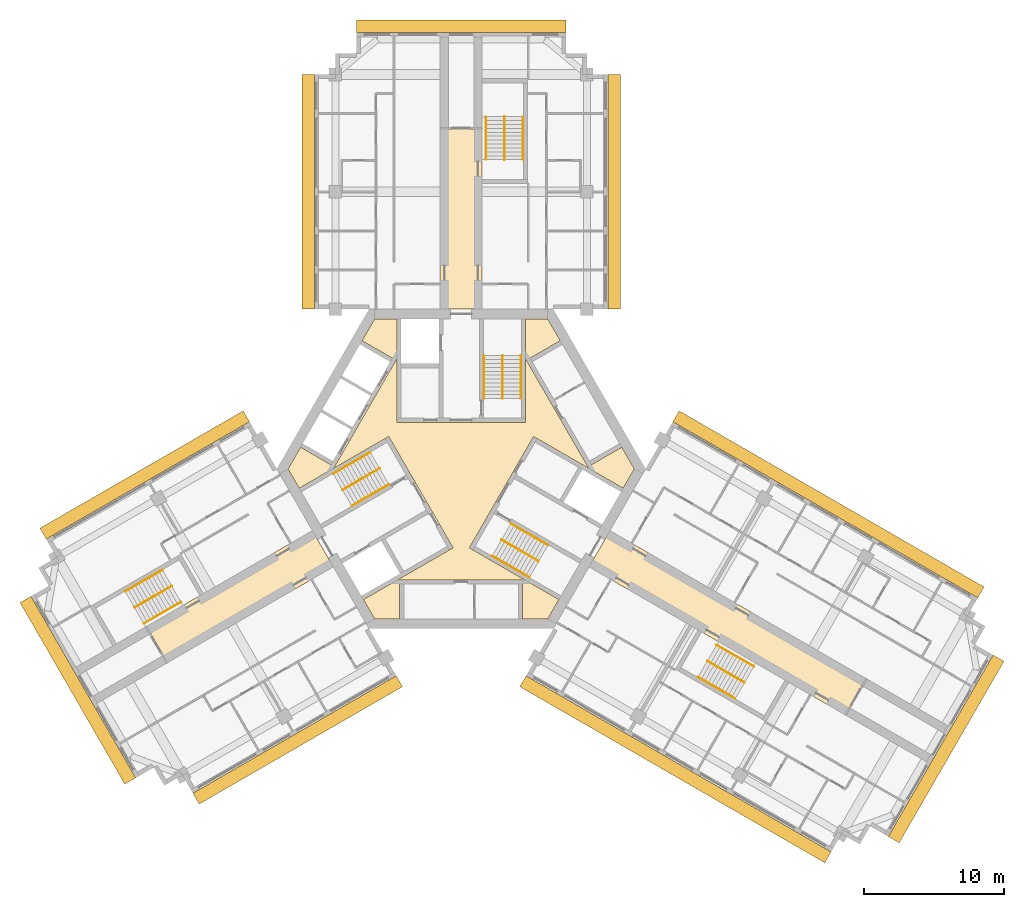
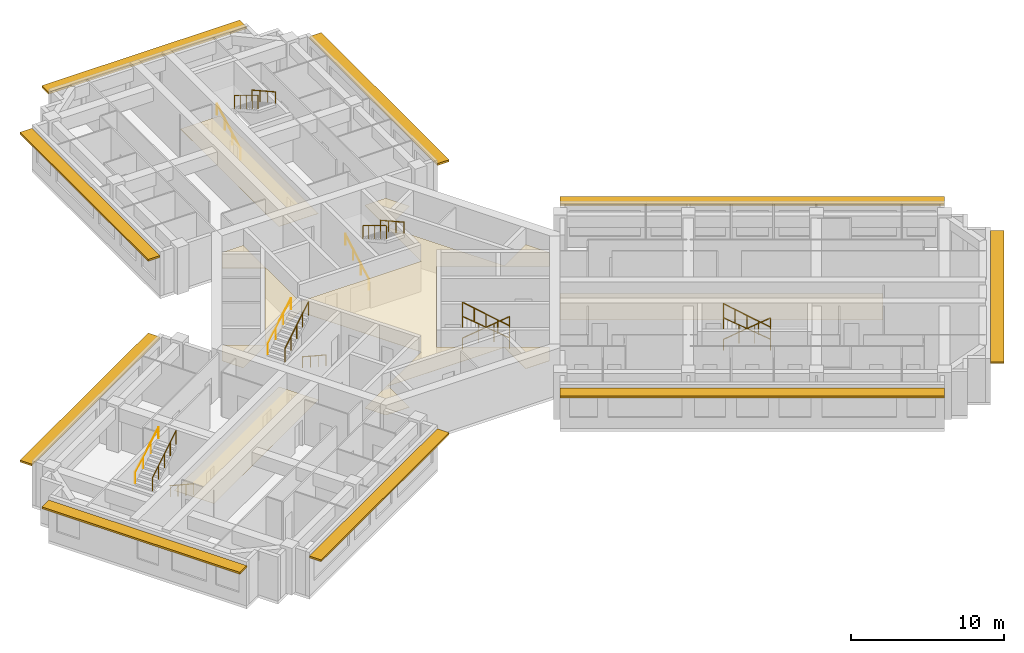
# One storey, part 10 of 10: 18 railings, 4 coverings, 3 shading devices.
"""IFC4 building model written with IfcOpenShell, lengths in metres."""

from ifc_helpers import new_model, si_unit, direction, frame, origin, origin_2d, place, context, subcontext, project, spatial, polyline, rectangle, circle, outline, extrude, material, layer, layer_set, type_object, element, save


model = new_model("IFC4")

# Units and contexts
model_context = context("Model", 3, precision=1e-05, world=origin(), true_north=direction((0.0, 1.0)))
body_context = subcontext(model_context, "Body", "Model", "MODEL_VIEW")
ifc_project = project(units=[si_unit("LENGTHUNIT", "METRE"), si_unit("AREAUNIT", "SQUARE_METRE"), si_unit("VOLUMEUNIT", "CUBIC_METRE"), si_unit("PLANEANGLEUNIT", "RADIAN"), si_unit("MASSUNIT", "GRAM", prefix="KILO")], contexts=[model_context])

# Site, building, storey
site_placement = place(None, origin())
site = spatial("IfcSite", under=ifc_project, at=site_placement, CompositionType="ELEMENT")
building_placement = place(site_placement, origin())
building = spatial("IfcBuilding", under=site, at=building_placement, Name="Impinga Residences", CompositionType="ELEMENT")
storey_placement = place(building_placement, frame((0.0, 0.0, 241.0)))
storey = spatial("IfcBuildingStorey", under=building, at=storey_placement, Name="L60", CompositionType="ELEMENT", Elevation=241.0)

# Coverings
ifc_material_1 = material(Name="Plasterboard 15 mm on steel hangers", Category="steel")
ifc_layer_1 = layer(ifc_material_1, 0.014892578125)
ifc_layer_set_1 = layer_set([ifc_layer_1], Name="Plasterboard 15 mm on steel hangers")
covering_type_1 = type_object("IfcCoveringType", Name="CL1 corridor ceiling, 15 mm plasterboard on hangers", PredefinedType="CEILING", material=ifc_layer_set_1)
covering_1_placement = place(storey_placement, frame((0.0, 0.0, 2.39990234375)))
element("IfcCovering", 1, at=covering_1_placement, inside=storey, type_object=covering_type_1, Name="Corridor ceiling CL1 L60-N00", PredefinedType="CEILING", context=body_context, shape_type="SweptSolid", body=[
    extrude(outline(polyline([(-1.5, 11.431640625), (1.5, 11.431640625), (1.5, 24.33154296875), (-1.5, 24.33154296875), (-1.5, 11.431640625)])), origin(), (0.0, 0.0, 1.0), 0.01513671875),
])
covering_2_placement = place(storey_placement, frame((0.0, 0.0, 2.39990234375)))
element("IfcCovering", 2, at=covering_2_placement, inside=storey, type_object=covering_type_1, Name="Corridor ceiling CL1 L60-W00", PredefinedType="CEILING", context=body_context, shape_type="SweptSolid", body=[
    extrude(outline(polyline([(-9.14990234375, -7.014892578125), (-10.64990234375, -4.416748046875), (-22.5146484375, -11.266845703125), (-21.0146484375, -13.86474609375), (-9.14990234375, -7.014892578125)])), origin(), (0.0, 0.0, 1.0), 0.01513671875),
])
covering_3_placement = place(storey_placement, frame((0.0, 0.0, 2.39990234375)))
element("IfcCovering", 3, at=covering_3_placement, inside=storey, type_object=covering_type_1, Name="Corridor ceiling CL1 L60-E00", PredefinedType="CEILING", context=body_context, shape_type="SweptSolid", body=[
    extrude(outline(polyline([(10.64990234375, -4.416748046875), (9.14990234375, -7.014892578125), (27.466552734375, -17.58984375), (28.966552734375, -14.99169921875), (10.64990234375, -4.416748046875)])), origin(), (0.0, 0.0, 1.0), 0.01513671875),
])
ifc_material_2 = material(Name="Mineral fibre tiles 20 mm on exposed grid", Category="mineral fibre")
ifc_layer_2 = layer(ifc_material_2, 0.02001953125)
ifc_layer_set_2 = layer_set([ifc_layer_2], Name="CL2 lift lobby ceiling, 20 mm mineral fibre tiles")
covering_type_2 = type_object("IfcCoveringType", Name="CL2 lift lobby ceiling, 20 mm mineral fibre tiles", PredefinedType="CEILING", material=ifc_layer_set_2)
covering_4_placement = place(storey_placement, frame((0.0, 0.0, 2.39990234375)))
element("IfcCovering", 4, at=covering_4_placement, inside=storey, type_object=covering_type_2, Name="Lift lobby ceiling CL2 L60-C01", PredefinedType="CEILING", context=body_context, shape_type="SweptSolid", body=[
    extrude(outline(polyline([(12.3916015625, 0.0), (11.59375, -1.382080078125), (5.183837890625, 2.318603515625), (0.583984375, -5.648681640625), (6.993896484375, -9.349365234375), (6.19580078125, -10.7314453125), (4.39990234375, -10.7314453125), (4.39990234375, -7.931640625), (-4.39990234375, -7.931640625), (-4.39990234375, -10.7314453125), (-6.19580078125, -10.7314453125), (-6.993896484375, -9.349365234375), (-0.583984375, -5.648681640625), (-5.183837890625, 2.318603515625), (-11.59375, -1.382080078125), (-12.3916015625, 0.0), (-11.493896484375, 1.55517578125), (-9.06884765625, 0.1552734375), (-4.6689453125, 7.7763671875), (-7.09375, 9.17626953125), (-6.19580078125, 10.7314453125), (-4.60009765625, 10.7314453125), (-4.60009765625, 3.330078125), (4.60009765625, 3.330078125), (4.60009765625, 10.7314453125), (6.19580078125, 10.7314453125), (7.09375, 9.17626953125), (4.6689453125, 7.7763671875), (9.06884765625, 0.1552734375), (11.493896484375, 1.55517578125), (12.3916015625, 0.0)])), origin(), (0.0, 0.0, 1.0), 0.02001953125),
])

# Railings
ifc_material_3 = material(Name="Steel guard, powder coated", Category="steel")
railing_type_1 = type_object("IfcRailingType", Name="GR1 stair guard 1100", PredefinedType="GUARDRAIL", material=ifc_material_3)
railing_1_placement = place(storey_placement, frame((2.949951171875, 8.110107421875, 1.875)))
element("IfcRailing", 5, at=railing_1_placement, inside=storey, type_object=railing_type_1, Name="Stair guard GR1 ST1 L60", PredefinedType="GUARDRAIL", context=body_context, shape_type="SweptSolid", body=[
    extrude(circle(Radius=0.02392578125, at=origin_2d()), frame((0.0, 0.0, 1.076171875), z_axis=(0.0, -0.854177636135, 0.519981313056), x_axis=(1.0, 0.0, 0.0)), (0.0, 0.0, 1.0), 3.60595703125),
    extrude(circle(Radius=0.02099609375, at=origin_2d()), origin(), (0.0, 0.0, 1.0), 1.052001953125),
    extrude(circle(Radius=0.02099609375, at=origin_2d()), frame((0.0, -0.77001953125, 0.46875)), (0.0, 0.0, 1.0), 1.052001953125),
    extrude(circle(Radius=0.02099609375, at=origin_2d()), frame((0.0, -1.5400390625, 0.9375)), (0.0, 0.0, 1.0), 1.052001953125),
    extrude(circle(Radius=0.02099609375, at=origin_2d()), frame((0.0, -2.31005859375, 1.40625)), (0.0, 0.0, 1.0), 1.052001953125),
    extrude(circle(Radius=0.02099609375, at=origin_2d()), frame((0.0, -3.080078125, 1.875)), (0.0, 0.0, 1.0), 1.052001953125),
])
railing_2_placement = place(storey_placement, frame((-8.49853515625, -1.500244140625, 1.875)))
element("IfcRailing", 6, at=railing_2_placement, inside=storey, type_object=railing_type_1, Name="Stair guard GR1 ST2 L60", PredefinedType="GUARDRAIL", context=body_context, shape_type="SweptSolid", body=[
    extrude(circle(Radius=0.02392578125, at=origin_2d()), frame((0.0, 0.0, 1.076171875), z_axis=(0.739746383972, 0.427084037168, 0.519975492303), x_axis=(-0.499992328818, 0.866029832698, 0.0)), (0.0, 0.0, 1.0), 3.60595703125),
    extrude(circle(Radius=0.02099609375, at=origin_2d()), origin(), (0.0, 0.0, 1.0), 1.052001953125),
    extrude(circle(Radius=0.02099609375, at=origin_2d()), frame((0.6669921875, 0.385009765625, 0.46875)), (0.0, 0.0, 1.0), 1.052001953125),
    extrude(circle(Radius=0.02099609375, at=origin_2d()), frame((1.333740234375, 0.77001953125, 0.9375)), (0.0, 0.0, 1.0), 1.052001953125),
    extrude(circle(Radius=0.02099609375, at=origin_2d()), frame((2.00048828125, 1.155029296875, 1.40625)), (0.0, 0.0, 1.0), 1.052001953125),
    extrude(circle(Radius=0.02099609375, at=origin_2d()), frame((2.66748046875, 1.5400390625, 1.875)), (0.0, 0.0, 1.0), 1.052001953125),
])
railing_3_placement = place(storey_placement, frame((5.548583984375, -6.60986328125, 1.875)))
element("IfcRailing", 7, at=railing_3_placement, inside=storey, type_object=railing_type_1, Name="Stair guard GR1 ST3 L60", PredefinedType="GUARDRAIL", context=body_context, shape_type="SweptSolid", body=[
    extrude(circle(Radius=0.02392578125, at=origin_2d()), frame((0.0, 0.0, 1.076171875), z_axis=(-0.739746383972, 0.427084037168, 0.519975492303), x_axis=(-0.499992328818, -0.866029832698, 0.0)), (0.0, 0.0, 1.0), 3.60595703125),
    extrude(circle(Radius=0.02099609375, at=origin_2d()), origin(), (0.0, 0.0, 1.0), 1.052001953125),
    extrude(circle(Radius=0.02099609375, at=origin_2d()), frame((-0.6669921875, 0.385009765625, 0.46875)), (0.0, 0.0, 1.0), 1.052001953125),
    extrude(circle(Radius=0.02099609375, at=origin_2d()), frame((-1.333740234375, 0.77001953125, 0.9375)), (0.0, 0.0, 1.0), 1.052001953125),
    extrude(circle(Radius=0.02099609375, at=origin_2d()), frame((-2.00048828125, 1.155029296875, 1.40625)), (0.0, 0.0, 1.0), 1.052001953125),
    extrude(circle(Radius=0.02099609375, at=origin_2d()), frame((-2.66748046875, 1.5400390625, 1.875)), (0.0, 0.0, 1.0), 1.052001953125),
])
railing_4_placement = place(storey_placement, frame((3.10009765625, 25.21142578125, 1.875)))
element("IfcRailing", 8, at=railing_4_placement, inside=storey, type_object=railing_type_1, Name="Stair guard GR1 WS1 L60", PredefinedType="GUARDRAIL", context=body_context, shape_type="SweptSolid", body=[
    extrude(circle(Radius=0.02392578125, at=origin_2d()), frame((0.0, 0.0, 1.076171875), z_axis=(0.0, -0.854159328187, 0.520011386482), x_axis=(1.0, 0.0, 0.0)), (0.0, 0.0, 1.0), 3.605712890625),
    extrude(circle(Radius=0.02099609375, at=origin_2d()), origin(), (0.0, 0.0, 1.0), 1.052001953125),
    extrude(circle(Radius=0.02099609375, at=origin_2d()), frame((0.0, -0.77001953125, 0.46875)), (0.0, 0.0, 1.0), 1.052001953125),
    extrude(circle(Radius=0.02099609375, at=origin_2d()), frame((0.0, -1.5400390625, 0.9375)), (0.0, 0.0, 1.0), 1.052001953125),
    extrude(circle(Radius=0.02099609375, at=origin_2d()), frame((0.0, -2.309814453125, 1.40625)), (0.0, 0.0, 1.0), 1.052001953125),
    extrude(circle(Radius=0.02099609375, at=origin_2d()), frame((0.0, -3.079833984375, 1.875)), (0.0, 0.0, 1.0), 1.052001953125),
])
railing_5_placement = place(storey_placement, frame((-23.3837890625, -9.921142578125, 1.875)))
element("IfcRailing", 9, at=railing_5_placement, inside=storey, type_object=railing_type_1, Name="Stair guard GR1 WS2 L60", PredefinedType="GUARDRAIL", context=body_context, shape_type="SweptSolid", body=[
    extrude(circle(Radius=0.02392578125, at=origin_2d()), frame((0.0, 0.0, 1.076171875), z_axis=(0.739715726454, 0.427105428144, 0.52000153585), x_axis=(-0.500026652407, 0.866010015463, 0.0)), (0.0, 0.0, 1.0), 3.605712890625),
    extrude(circle(Radius=0.02099609375, at=origin_2d()), origin(), (0.0, 0.0, 1.0), 1.052001953125),
    extrude(circle(Radius=0.02099609375, at=origin_2d()), frame((0.666748046875, 0.385009765625, 0.46875)), (0.0, 0.0, 1.0), 1.052001953125),
    extrude(circle(Radius=0.02099609375, at=origin_2d()), frame((1.33349609375, 0.77001953125, 0.9375)), (0.0, 0.0, 1.0), 1.052001953125),
    extrude(circle(Radius=0.02099609375, at=origin_2d()), frame((2.00048828125, 1.155029296875, 1.40625)), (0.0, 0.0, 1.0), 1.052001953125),
    extrude(circle(Radius=0.02099609375, at=origin_2d()), frame((2.667236328125, 1.5400390625, 1.875)), (0.0, 0.0, 1.0), 1.052001953125),
])
railing_6_placement = place(storey_placement, frame((20.283935546875, -15.29052734375, 1.875)))
element("IfcRailing", 10, at=railing_6_placement, inside=storey, type_object=railing_type_1, Name="Stair guard GR1 WS3 L60", PredefinedType="GUARDRAIL", context=body_context, shape_type="SweptSolid", body=[
    extrude(circle(Radius=0.02392578125, at=origin_2d()), frame((0.0, 0.0, 1.076171875), z_axis=(-0.739746383972, 0.427084037168, 0.519975492303), x_axis=(-0.499992328818, -0.866029832698, 0.0)), (0.0, 0.0, 1.0), 3.60595703125),
    extrude(circle(Radius=0.02099609375, at=origin_2d()), origin(), (0.0, 0.0, 1.0), 1.052001953125),
    extrude(circle(Radius=0.02099609375, at=origin_2d()), frame((-0.6669921875, 0.385009765625, 0.46875)), (0.0, 0.0, 1.0), 1.052001953125),
    extrude(circle(Radius=0.02099609375, at=origin_2d()), frame((-1.333740234375, 0.77001953125, 0.9375)), (0.0, 0.0, 1.0), 1.052001953125),
    extrude(circle(Radius=0.02099609375, at=origin_2d()), frame((-2.00048828125, 1.155029296875, 1.40625)), (0.0, 0.0, 1.0), 1.052001953125),
    extrude(circle(Radius=0.02099609375, at=origin_2d()), frame((-2.66748046875, 1.5400390625, 1.875)), (0.0, 0.0, 1.0), 1.052001953125),
])
ifc_material_4 = material(Name="Steel handrail tube 42 mm, powder coated", Category="steel")
railing_type_2 = type_object("IfcRailingType", Name="HR1 stair handrail, 42 mm steel tube, 900 above the pitch line", PredefinedType="HANDRAIL", material=ifc_material_4)
railing_7_placement = place(storey_placement, frame((1.62109375, 5.030029296875, 0.15625)))
element("IfcRailing", 11, at=railing_7_placement, inside=storey, type_object=railing_type_2, Name="Stair handrail HR1 ST1 L60", PredefinedType="HANDRAIL", context=body_context, shape_type="SweptSolid", body=[
    extrude(circle(Radius=0.02099609375, at=origin_2d()), frame((0.0, 0.0, 0.87890625), z_axis=(0.0, 0.873241540666, 0.487287606713), x_axis=(-1.0, 0.0, 0.0)), (0.0, 0.0, 1.0), 3.527099609375),
    extrude(circle(Radius=0.012451171875, at=origin_2d()), origin(), (0.0, 0.0, 1.0), 0.85791015625),
    extrude(circle(Radius=0.012451171875, at=origin_2d()), frame((0.0, 1.026611328125, 0.572998046875)), (0.0, 0.0, 1.0), 0.85791015625),
    extrude(circle(Radius=0.012451171875, at=origin_2d()), frame((0.0, 2.053466796875, 1.145751953125)), (0.0, 0.0, 1.0), 0.85791015625),
    extrude(circle(Radius=0.012451171875, at=origin_2d()), frame((0.0, 3.080078125, 1.71875)), (0.0, 0.0, 1.0), 0.85791015625),
])
railing_8_placement = place(storey_placement, frame((4.279052734375, 8.110107421875, 2.03125)))
element("IfcRailing", 12, at=railing_8_placement, inside=storey, type_object=railing_type_2, Name="Stair handrail HR1 ST1 L60", PredefinedType="HANDRAIL", context=body_context, shape_type="SweptSolid", body=[
    extrude(circle(Radius=0.02099609375, at=origin_2d()), frame((0.0, 0.0, 0.87890625), z_axis=(0.0, -0.873241540666, 0.487287606713), x_axis=(1.0, 0.0, 0.0)), (0.0, 0.0, 1.0), 3.527099609375),
    extrude(circle(Radius=0.012451171875, at=origin_2d()), origin(), (0.0, 0.0, 1.0), 0.85791015625),
    extrude(circle(Radius=0.012451171875, at=origin_2d()), frame((0.0, -1.026611328125, 0.572998046875)), (0.0, 0.0, 1.0), 0.85791015625),
    extrude(circle(Radius=0.012451171875, at=origin_2d()), frame((0.0, -2.053466796875, 1.145751953125)), (0.0, 0.0, 1.0), 0.85791015625),
    extrude(circle(Radius=0.012451171875, at=origin_2d()), frame((0.0, -3.080078125, 1.71875)), (0.0, 0.0, 1.0), 0.85791015625),
])
railing_9_placement = place(storey_placement, frame((-5.16650390625, -1.111083984375, 0.15625)))
element("IfcRailing", 13, at=railing_9_placement, inside=storey, type_object=railing_type_2, Name="Stair handrail HR1 ST2 L60", PredefinedType="HANDRAIL", context=body_context, shape_type="SweptSolid", body=[
    extrude(circle(Radius=0.02099609375, at=origin_2d()), frame((0.0, 0.0, 0.87890625), z_axis=(-0.756255980417, -0.436615662133, 0.487281905742), x_axis=(0.499992328818, -0.866029832698, 0.0)), (0.0, 0.0, 1.0), 3.527099609375),
    extrude(circle(Radius=0.012451171875, at=origin_2d()), origin(), (0.0, 0.0, 1.0), 0.85791015625),
    extrude(circle(Radius=0.012451171875, at=origin_2d()), frame((-0.88916015625, -0.513427734375, 0.572998046875)), (0.0, 0.0, 1.0), 0.85791015625),
    extrude(circle(Radius=0.012451171875, at=origin_2d()), frame((-1.7783203125, -1.026611328125, 1.145751953125)), (0.0, 0.0, 1.0), 0.85791015625),
    extrude(circle(Radius=0.012451171875, at=origin_2d()), frame((-2.66748046875, -1.5400390625, 1.71875)), (0.0, 0.0, 1.0), 0.85791015625),
])
railing_10_placement = place(storey_placement, frame((-9.1630859375, -0.349365234375, 2.03125)))
element("IfcRailing", 14, at=railing_10_placement, inside=storey, type_object=railing_type_2, Name="Stair handrail HR1 ST2 L60", PredefinedType="HANDRAIL", context=body_context, shape_type="SweptSolid", body=[
    extrude(circle(Radius=0.02099609375, at=origin_2d()), frame((0.0, 0.0, 0.87890625), z_axis=(0.756255980417, 0.436615662133, 0.487281905742), x_axis=(-0.499992328818, 0.866029832698, 0.0)), (0.0, 0.0, 1.0), 3.527099609375),
    extrude(circle(Radius=0.012451171875, at=origin_2d()), origin(), (0.0, 0.0, 1.0), 0.85791015625),
    extrude(circle(Radius=0.012451171875, at=origin_2d()), frame((0.88916015625, 0.513427734375, 0.572998046875)), (0.0, 0.0, 1.0), 0.85791015625),
    extrude(circle(Radius=0.012451171875, at=origin_2d()), frame((1.7783203125, 1.026611328125, 1.145751953125)), (0.0, 0.0, 1.0), 0.85791015625),
    extrude(circle(Radius=0.012451171875, at=origin_2d()), frame((2.66748046875, 1.5400390625, 1.71875)), (0.0, 0.0, 1.0), 0.85791015625),
])
railing_11_placement = place(storey_placement, frame((3.545654296875, -3.9189453125, 0.15625)))
element("IfcRailing", 15, at=railing_11_placement, inside=storey, type_object=railing_type_2, Name="Stair handrail HR1 ST3 L60", PredefinedType="HANDRAIL", context=body_context, shape_type="SweptSolid", body=[
    extrude(circle(Radius=0.02099609375, at=origin_2d()), frame((0.0, 0.0, 0.87890625), z_axis=(0.756249203677, -0.436582492228, 0.487322141317), x_axis=(0.499967199496, 0.866044340336, 0.0)), (0.0, 0.0, 1.0), 3.52685546875),
    extrude(circle(Radius=0.012451171875, at=origin_2d()), origin(), (0.0, 0.0, 1.0), 0.85791015625),
    extrude(circle(Radius=0.012451171875, at=origin_2d()), frame((0.88916015625, -0.51318359375, 0.572998046875)), (0.0, 0.0, 1.0), 0.85791015625),
    extrude(circle(Radius=0.012451171875, at=origin_2d()), frame((1.778076171875, -1.026611328125, 1.145751953125)), (0.0, 0.0, 1.0), 0.85791015625),
    extrude(circle(Radius=0.012451171875, at=origin_2d()), frame((2.667236328125, -1.539794921875, 1.71875)), (0.0, 0.0, 1.0), 0.85791015625),
])
railing_12_placement = place(storey_placement, frame((4.884033203125, -7.7607421875, 2.03125)))
element("IfcRailing", 16, at=railing_12_placement, inside=storey, type_object=railing_type_2, Name="Stair handrail HR1 ST3 L60", PredefinedType="HANDRAIL", context=body_context, shape_type="SweptSolid", body=[
    extrude(circle(Radius=0.02099609375, at=origin_2d()), frame((0.0, 0.0, 0.87890625), z_axis=(-0.756255980417, 0.436615662133, 0.487281905742), x_axis=(-0.499992328818, -0.866029832698, 0.0)), (0.0, 0.0, 1.0), 3.527099609375),
    extrude(circle(Radius=0.012451171875, at=origin_2d()), origin(), (0.0, 0.0, 1.0), 0.85791015625),
    extrude(circle(Radius=0.012451171875, at=origin_2d()), frame((-0.88916015625, 0.513427734375, 0.572998046875)), (0.0, 0.0, 1.0), 0.85791015625),
    extrude(circle(Radius=0.012451171875, at=origin_2d()), frame((-1.7783203125, 1.026611328125, 1.145751953125)), (0.0, 0.0, 1.0), 0.85791015625),
    extrude(circle(Radius=0.012451171875, at=origin_2d()), frame((-2.66748046875, 1.5400390625, 1.71875)), (0.0, 0.0, 1.0), 0.85791015625),
])
railing_13_placement = place(storey_placement, frame((1.77099609375, 22.131591796875, 0.15625)))
element("IfcRailing", 17, at=railing_13_placement, inside=storey, type_object=railing_type_2, Name="Stair handrail HR1 WS1 L60", PredefinedType="HANDRAIL", context=body_context, shape_type="SweptSolid", body=[
    extrude(circle(Radius=0.02099609375, at=origin_2d()), frame((0.0, 0.0, 0.87890625), z_axis=(0.0, 0.873225103656, 0.487317061414), x_axis=(-1.0, 0.0, 0.0)), (0.0, 0.0, 1.0), 3.52685546875),
    extrude(circle(Radius=0.012451171875, at=origin_2d()), origin(), (0.0, 0.0, 1.0), 0.85791015625),
    extrude(circle(Radius=0.012451171875, at=origin_2d()), frame((0.0, 1.026611328125, 0.572998046875)), (0.0, 0.0, 1.0), 0.85791015625),
    extrude(circle(Radius=0.012451171875, at=origin_2d()), frame((0.0, 2.05322265625, 1.145751953125)), (0.0, 0.0, 1.0), 0.85791015625),
    extrude(circle(Radius=0.012451171875, at=origin_2d()), frame((0.0, 3.079833984375, 1.71875)), (0.0, 0.0, 1.0), 0.85791015625),
])
railing_14_placement = place(storey_placement, frame((4.428955078125, 25.21142578125, 2.03125)))
element("IfcRailing", 18, at=railing_14_placement, inside=storey, type_object=railing_type_2, Name="Stair handrail HR1 WS1 L60", PredefinedType="HANDRAIL", context=body_context, shape_type="SweptSolid", body=[
    extrude(circle(Radius=0.02099609375, at=origin_2d()), frame((0.0, 0.0, 0.87890625), z_axis=(0.0, -0.873225103656, 0.487317061414), x_axis=(1.0, 0.0, 0.0)), (0.0, 0.0, 1.0), 3.52685546875),
    extrude(circle(Radius=0.012451171875, at=origin_2d()), origin(), (0.0, 0.0, 1.0), 0.85791015625),
    extrude(circle(Radius=0.012451171875, at=origin_2d()), frame((0.0, -1.026611328125, 0.572998046875)), (0.0, 0.0, 1.0), 0.85791015625),
    extrude(circle(Radius=0.012451171875, at=origin_2d()), frame((0.0, -2.05322265625, 1.145751953125)), (0.0, 0.0, 1.0), 0.85791015625),
    extrude(circle(Radius=0.012451171875, at=origin_2d()), frame((0.0, -3.079833984375, 1.71875)), (0.0, 0.0, 1.0), 0.85791015625),
])
railing_15_placement = place(storey_placement, frame((-20.052001953125, -9.531982421875, 0.15625)))
element("IfcRailing", 19, at=railing_15_placement, inside=storey, type_object=railing_type_2, Name="Stair handrail HR1 WS2 L60", PredefinedType="HANDRAIL", context=body_context, shape_type="SweptSolid", body=[
    extrude(circle(Radius=0.02099609375, at=origin_2d()), frame((0.0, 0.0, 0.87890625), z_axis=(-0.756226348243, -0.436638517594, 0.487307413422), x_axis=(0.500026652407, -0.866010015463, 0.0)), (0.0, 0.0, 1.0), 3.527099609375),
    extrude(circle(Radius=0.012451171875, at=origin_2d()), origin(), (0.0, 0.0, 1.0), 0.85791015625),
    extrude(circle(Radius=0.012451171875, at=origin_2d()), frame((-0.88916015625, -0.513427734375, 0.572998046875)), (0.0, 0.0, 1.0), 0.85791015625),
    extrude(circle(Radius=0.012451171875, at=origin_2d()), frame((-1.778076171875, -1.026611328125, 1.145751953125)), (0.0, 0.0, 1.0), 0.85791015625),
    extrude(circle(Radius=0.012451171875, at=origin_2d()), frame((-2.667236328125, -1.5400390625, 1.71875)), (0.0, 0.0, 1.0), 0.85791015625),
])
railing_16_placement = place(storey_placement, frame((-24.04833984375, -8.77001953125, 2.03125)))
element("IfcRailing", 20, at=railing_16_placement, inside=storey, type_object=railing_type_2, Name="Stair handrail HR1 WS2 L60", PredefinedType="HANDRAIL", context=body_context, shape_type="SweptSolid", body=[
    extrude(circle(Radius=0.02099609375, at=origin_2d()), frame((0.0, 0.0, 0.87890625), z_axis=(0.756278834354, 0.436559638319, 0.487296631324), x_axis=(-0.499932877268, 0.866064153644, 0.0)), (0.0, 0.0, 1.0), 3.527099609375),
    extrude(circle(Radius=0.012451171875, at=origin_2d()), origin(), (0.0, 0.0, 1.0), 0.85791015625),
    extrude(circle(Radius=0.012451171875, at=origin_2d()), frame((0.88916015625, 0.51318359375, 0.572998046875)), (0.0, 0.0, 1.0), 0.85791015625),
    extrude(circle(Radius=0.012451171875, at=origin_2d()), frame((1.7783203125, 1.026611328125, 1.145751953125)), (0.0, 0.0, 1.0), 0.85791015625),
    extrude(circle(Radius=0.012451171875, at=origin_2d()), frame((2.66748046875, 1.539794921875, 1.71875)), (0.0, 0.0, 1.0), 0.85791015625),
])
railing_17_placement = place(storey_placement, frame((18.281005859375, -12.599609375, 0.15625)))
element("IfcRailing", 21, at=railing_17_placement, inside=storey, type_object=railing_type_2, Name="Stair handrail HR1 WS3 L60", PredefinedType="HANDRAIL", context=body_context, shape_type="SweptSolid", body=[
    extrude(circle(Radius=0.02099609375, at=origin_2d()), frame((0.0, 0.0, 0.87890625), z_axis=(0.756249203677, -0.436582492228, 0.487322141317), x_axis=(0.499967199496, 0.866044340336, 0.0)), (0.0, 0.0, 1.0), 3.52685546875),
    extrude(circle(Radius=0.012451171875, at=origin_2d()), origin(), (0.0, 0.0, 1.0), 0.85791015625),
    extrude(circle(Radius=0.012451171875, at=origin_2d()), frame((0.88916015625, -0.51318359375, 0.572998046875)), (0.0, 0.0, 1.0), 0.85791015625),
    extrude(circle(Radius=0.012451171875, at=origin_2d()), frame((1.778076171875, -1.026611328125, 1.145751953125)), (0.0, 0.0, 1.0), 0.85791015625),
    extrude(circle(Radius=0.012451171875, at=origin_2d()), frame((2.667236328125, -1.539794921875, 1.71875)), (0.0, 0.0, 1.0), 0.85791015625),
])
railing_18_placement = place(storey_placement, frame((19.619384765625, -16.44140625, 2.03125)))
element("IfcRailing", 22, at=railing_18_placement, inside=storey, type_object=railing_type_2, Name="Stair handrail HR1 WS3 L60", PredefinedType="HANDRAIL", context=body_context, shape_type="SweptSolid", body=[
    extrude(circle(Radius=0.02099609375, at=origin_2d()), frame((0.0, 0.0, 0.87890625), z_axis=(-0.756255980417, 0.436615662133, 0.487281905742), x_axis=(-0.499992328818, -0.866029832698, 0.0)), (0.0, 0.0, 1.0), 3.527099609375),
    extrude(circle(Radius=0.012451171875, at=origin_2d()), origin(), (0.0, 0.0, 1.0), 0.85791015625),
    extrude(circle(Radius=0.012451171875, at=origin_2d()), frame((-0.88916015625, 0.513427734375, 0.572998046875)), (0.0, 0.0, 1.0), 0.85791015625),
    extrude(circle(Radius=0.012451171875, at=origin_2d()), frame((-1.7783203125, 1.026611328125, 1.145751953125)), (0.0, 0.0, 1.0), 0.85791015625),
    extrude(circle(Radius=0.012451171875, at=origin_2d()), frame((-2.66748046875, 1.5400390625, 1.71875)), (0.0, 0.0, 1.0), 0.85791015625),
])

# Shading devices
ifc_material_5 = material(Name="Terracotta sunshade blades on aluminium brackets", Category="masonry")
ifc_layer_3 = layer(ifc_material_5, 0.14990234375)
ifc_layer_set_3 = layer_set([ifc_layer_3], Name="SS1 SUNSHADE terracotta sunshade band 900")
shading_device_type = type_object("IfcShadingDeviceType", Name="SS1 SUNSHADE terracotta sunshade band 900", PredefinedType="USERDEFINED", material=ifc_layer_set_3)
shading_device_1_placement = place(storey_placement, frame((-10.949951171875, 19.83154296875, 3.10009765625), z_axis=(0.0, 0.0, 1.0), x_axis=(0.0, 1.0, 0.0)))
element("IfcShadingDevice", 23, at=shading_device_1_placement, inside=storey, type_object=shading_device_type, Name="SUNSHADE band L60 NORTH WING", ObjectType="SUNSHADE", PredefinedType="USERDEFINED", context=body_context, shape_type="SweptSolid", body=[
    extrude(rectangle(XDim=16.800048828125, YDim=0.89990234375, at=origin_2d()), origin(), (0.0, 0.0, 1.0), 0.14990234375),
    extrude(rectangle(XDim=15.0, YDim=0.89990234375, at=origin_2d()), frame((11.85009765625, -10.949951171875, 0.0), z_axis=(0.0, 0.0, 1.0), x_axis=(0.0, -1.0, 0.0)), (0.0, 0.0, 1.0), 0.14990234375),
    extrude(rectangle(XDim=16.800048828125, YDim=0.89990234375, at=origin_2d()), frame((0.0, -21.89990234375, 0.0), z_axis=(0.0, 0.0, 1.0), x_axis=(-1.0, 0.0, 0.0)), (0.0, 0.0, 1.0), 0.14990234375),
])
shading_device_2_placement = place(storey_placement, frame((-11.69970703125, -19.398681640625, 3.10009765625), z_axis=(0.0, 0.0, 1.0), x_axis=(-0.866025403784, -0.5, 0.0)))
element("IfcShadingDevice", 24, at=shading_device_2_placement, inside=storey, type_object=shading_device_type, Name="SUNSHADE band L60 WEST WING", ObjectType="SUNSHADE", PredefinedType="USERDEFINED", context=body_context, shape_type="SweptSolid", body=[
    extrude(rectangle(XDim=16.800048828125, YDim=0.89990234375, at=origin_2d()), origin(), (0.0, 0.0, 1.0), 0.14990234375),
    extrude(rectangle(XDim=15.0, YDim=0.89990234375, at=origin_2d()), frame((11.849853515625, -10.949951171875, 0.0), z_axis=(0.0, 0.0, 1.0), x_axis=(0.0, -1.0, 0.0)), (0.0, 0.0, 1.0), 0.14990234375),
    extrude(rectangle(XDim=16.800048828125, YDim=0.89990234375, at=origin_2d()), frame((0.0, -21.89990234375, 0.0), z_axis=(0.0, 0.0, 1.0), x_axis=(-1.0, 0.0, 0.0)), (0.0, 0.0, 1.0), 0.14990234375),
])
shading_device_3_placement = place(storey_placement, frame((34.711669921875, -20.040771484375, 3.10009765625), z_axis=(0.0, 0.0, 1.0), x_axis=(-0.5, -0.866025403784, 0.0)))
element("IfcShadingDevice", 25, at=shading_device_3_placement, inside=storey, type_object=shading_device_type, Name="SUNSHADE band L60 EAST WING", ObjectType="SUNSHADE", PredefinedType="USERDEFINED", context=body_context, shape_type="SweptSolid", body=[
    extrude(rectangle(XDim=15.0, YDim=0.89990234375, at=origin_2d()), origin(), (0.0, 0.0, 1.0), 0.14990234375),
    extrude(rectangle(XDim=25.199951171875, YDim=0.89990234375, at=origin_2d()), frame((10.949951171875, -16.050048828125, 0.0), z_axis=(0.0, 0.0, 1.0), x_axis=(0.0, -1.0, 0.0)), (0.0, 0.0, 1.0), 0.14990234375),
    extrude(rectangle(XDim=25.199951171875, YDim=0.89990234375, at=origin_2d()), frame((-10.949951171875, -16.050048828125, 0.0), z_axis=(0.0, 0.0, 1.0), x_axis=(0.0, 1.0, 0.0)), (0.0, 0.0, 1.0), 0.14990234375),
])

save(model, "model.ifc")
